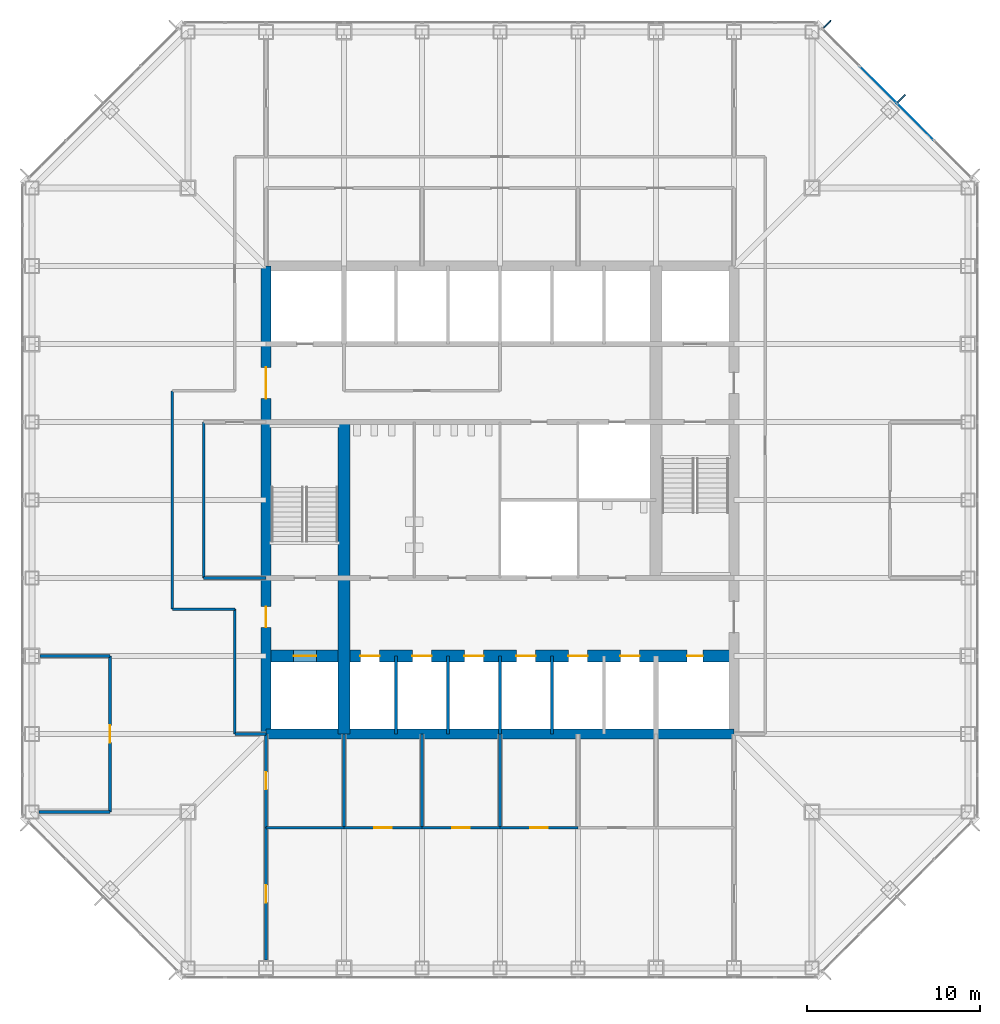
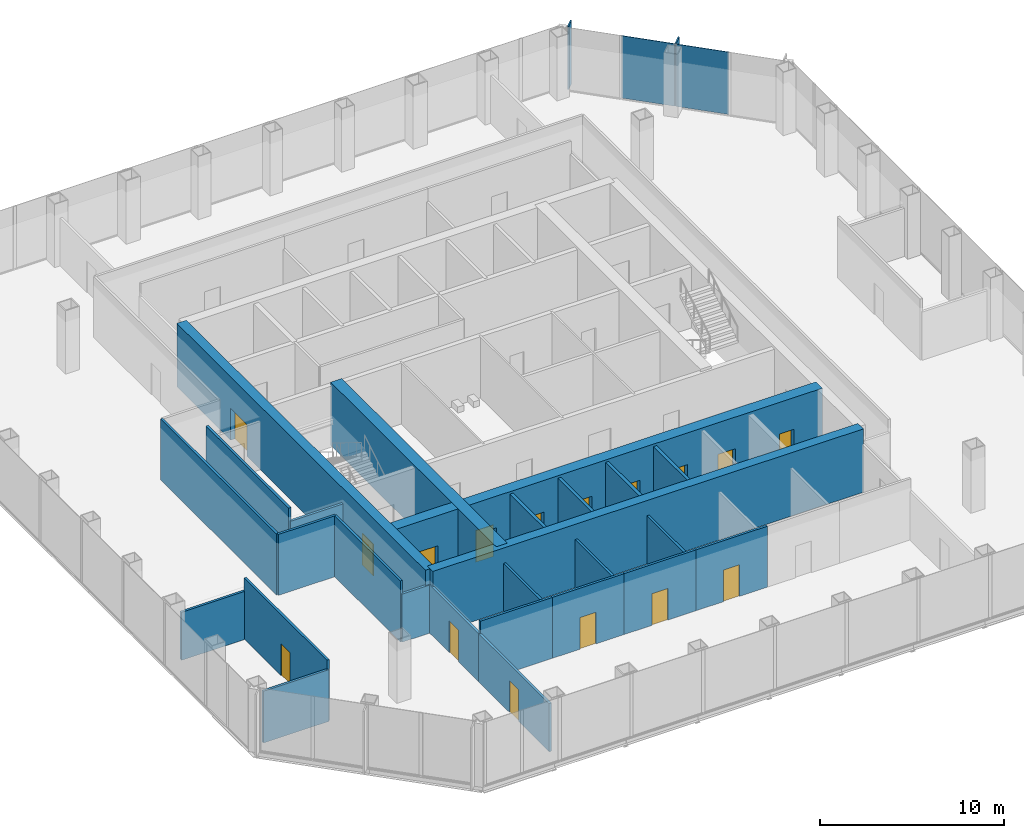
# One storey, part 8 of 12: 26 walls, 16 doors, 4 plates, 16 openings, 1 element without a shape of its own.
"""IFC4 building model written with IfcOpenShell, lengths in metres."""

from ifc_helpers import new_model, si_unit, direction, frame, frame_2d, origin, origin_2d, place, context, subcontext, project, spatial, rectangle, extrude, material, layer, layer_set, type_object, element, fill, aggregate, save


model = new_model("IFC4")

# Units and contexts
model_context = context("Model", 3, precision=1e-05, world=origin(), true_north=direction((0.0, 1.0)))
body_context = subcontext(model_context, "Body", "Model", "MODEL_VIEW")
ifc_project = project(units=[si_unit("LENGTHUNIT", "METRE"), si_unit("AREAUNIT", "SQUARE_METRE"), si_unit("VOLUMEUNIT", "CUBIC_METRE"), si_unit("PLANEANGLEUNIT", "RADIAN"), si_unit("MASSUNIT", "GRAM", prefix="KILO")], contexts=[model_context])

# Site, building, storey
site_placement = place(None, origin())
site = spatial("IfcSite", under=ifc_project, at=site_placement, CompositionType="ELEMENT")
building_placement = place(site_placement, origin())
building = spatial("IfcBuilding", under=site, at=building_placement, Name="Corais Broadcast Tower", CompositionType="ELEMENT")
storey_placement = place(building_placement, frame((0.0, 0.0, 58.39990234375)))
storey = spatial("IfcBuildingStorey", under=building, at=storey_placement, Name="L12", CompositionType="ELEMENT", Elevation=58.39990234375)

# Curtain wall, plates
ifc_material_1 = material(Name="Aluminium and glass", Category="aluminium")
curtain_wall_type = type_object("IfcCurtainWallType", Name="Unitised fritted curtain wall CW1", PredefinedType="NOTDEFINED", material=ifc_material_1)
curtain_wall_placement = place(storey_placement, origin())
curtain_wall = element("IfcCurtainWall", 1, at=curtain_wall_placement, inside=storey, type_object=curtain_wall_type, Name="CW1 curtain wall L12 5", PredefinedType="NOTDEFINED")
ifc_material_2 = material(Name="Ceramic-fritted laminated glass", Category="glass")
ifc_layer_1 = layer(ifc_material_2, 0.030029296875)
ifc_layer_set_1 = layer_set([ifc_layer_1], Name="Ceramic-fritted laminated glass")
plate_type_1 = type_object("IfcPlateType", Name="Fritted glass panel CW1", PredefinedType="CURTAIN_PANEL", material=ifc_layer_set_1)
plate_1_placement = place(storey_placement, frame((50.9658203125, 48.81201171875, 0.06494140625), z_axis=(0.0, 0.0, 1.0), x_axis=(0.707106781187, -0.707106781187, 0.0)))
plate_1 = element("IfcPlate", 2, at=plate_1_placement, type_object=plate_type_1, Name="CW1 panel 3", PredefinedType="CURTAIN_PANEL", context=body_context, shape_type="SweptSolid", body=[
    extrude(rectangle(XDim=2.98095703125, YDim=0.030029296875, at=origin_2d()), origin(), (0.0, 0.0, 1.0), 4.135009765625),
])
ifc_material_3 = material(Name="Clear laminated glass", Category="glass")
ifc_layer_2 = layer(ifc_material_3, 0.033935546875)
ifc_layer_set_2 = layer_set([ifc_layer_2], Name="Clear laminated glass")
plate_type_2 = type_object("IfcPlateType", Name="Operable glass panel CW1", PredefinedType="CURTAIN_PANEL", material=ifc_layer_set_2)
plate_2_placement = place(storey_placement, frame((48.81201171875, 50.9658203125, 0.06494140625), z_axis=(0.0, 0.0, 1.0), x_axis=(0.707106781187, -0.707106781187, 0.0)))
plate_2 = element("IfcPlate", 3, at=plate_2_placement, type_object=plate_type_2, Name="CW1 operable panel 2", PredefinedType="CURTAIN_PANEL", context=body_context, shape_type="SweptSolid", body=[
    extrude(rectangle(XDim=2.98095703125, YDim=0.033935546875, at=origin_2d()), origin(), (0.0, 0.0, 1.0), 4.135009765625),
])
aggregate(curtain_wall, [plate_2, plate_1])

# Plates
ifc_material_4 = material(Name="Granite stone cladding", Category="masonry")
ifc_layer_3 = layer(ifc_material_4, 0.080078125)
ifc_layer_set_3 = layer_set([ifc_layer_3], Name="Granite stone cladding")
plate_type_3 = type_object("IfcPlateType", Name="Stone screen fin 80x600", PredefinedType="USERDEFINED", material=ifc_layer_set_3)
for number, where, z_axis, x_axis, name in (
    (4, (45.885009765625, 54.4541015625, 0.0), (0.0, 0.0, 1.0), (0.707106781187, -0.707106781187, 0.0), "SF1 stone screen fin L12"),
    (5, (50.169677734375, 50.169677734375, 0.0), (0.0, 0.0, 1.0), (0.707106781187, -0.707106781187, 0.0), "SF1 stone screen fin L12"),
):
    element("IfcPlate", number, at=place(storey_placement, frame(where, z_axis=z_axis, x_axis=x_axis)), inside=storey, type_object=plate_type_3, Name=name, ObjectType="STONE SCREEN FIN", PredefinedType="USERDEFINED", context=body_context, shape_type="SweptSolid", body=[
        extrude(rectangle(XDim=0.080078125, YDim=0.60009765625, at=origin_2d()), origin(), (0.0, 0.0, 1.0), 4.199951171875),
    ])

# Wall
ifc_material_5 = material(Name="Concrete C50/60", Category="concrete")
ifc_layer_4 = layer(ifc_material_5, 0.699951171875)
ifc_layer_set_4 = layer_set([ifc_layer_4], Name="Concrete C50/60")
wall_type_1 = type_object("IfcWallType", Name="Core spine wall 700", PredefinedType="SHEAR", material=ifc_layer_set_4)
wall_1_placement = place(storey_placement, frame((18.0, 13.5, 0.0), z_axis=(0.0, 0.0, 1.0), x_axis=(0.0, 1.0, 0.0)))
element("IfcWall", 6, at=wall_1_placement, inside=storey, type_object=wall_type_1, Name="CR700 core wall X18A L12", PredefinedType="SHEAR", context=body_context, shape_type="SweptSolid", body=[
    extrude(rectangle(XDim=18.0, YDim=0.699951171875, at=frame_2d((9.0, 0.0))), origin(), (0.0, 0.0, 1.0), 4.2001953125),
])

# Wall, openings, doors
wall_2_placement = place(storey_placement, frame((13.5, 18.0, 0.0), z_axis=(0.0, 0.0, 1.0), x_axis=(1.0, 0.0, 0.0)))
wall_2 = element("IfcWall", 7, at=wall_2_placement, inside=storey, type_object=wall_type_1, Name="CR700 core wall Y18 L12", PredefinedType="SHEAR", context=body_context, shape_type="SweptSolid", body=[
    extrude(rectangle(XDim=27.0, YDim=0.699951171875, at=frame_2d((13.5, 0.0))), origin(), (0.0, 0.0, 1.0), 4.2001953125),
])
opening_1_placement = place(wall_2_placement, frame((24.300048828125, 0.0, 0.0)))
opening_1 = element("IfcOpeningElement", 8, at=opening_1_placement, cuts=wall_2, Name="Opening RD1", PredefinedType="OPENING", context=body_context, shape_type="SweptSolid", body=[
    extrude(rectangle(XDim=0.89990234375, YDim=2.10009765625, at=frame_2d((0.449951171875, 1.050048828125))), frame((0.0, 0.35986328125, 0.0), z_axis=(0.0, -1.0, 0.0), x_axis=(1.0, 0.0, 0.0)), (0.0, 0.0, 1.0), 0.719970703125),
])
opening_2_placement = place(wall_2_placement, frame((5.449951171875, 0.0, 0.0)))
opening_2 = element("IfcOpeningElement", 9, at=opening_2_placement, cuts=wall_2, Name="Opening LD1", PredefinedType="OPENING", context=body_context, shape_type="SweptSolid", body=[
    extrude(rectangle(XDim=1.10009765625, YDim=2.10009765625, at=frame_2d((0.550048828125, 1.050048828125))), frame((0.0, 0.35986328125, 0.0), z_axis=(0.0, -1.0, 0.0), x_axis=(1.0, 0.0, 0.0)), (0.0, 0.0, 1.0), 0.719970703125),
])
opening_3_placement = place(wall_2_placement, frame((8.449951171875, 0.0, 0.0)))
opening_3 = element("IfcOpeningElement", 10, at=opening_3_placement, cuts=wall_2, Name="Opening LD1", PredefinedType="OPENING", context=body_context, shape_type="SweptSolid", body=[
    extrude(rectangle(XDim=1.10009765625, YDim=2.10009765625, at=frame_2d((0.550048828125, 1.050048828125))), frame((0.0, 0.35986328125, 0.0), z_axis=(0.0, -1.0, 0.0), x_axis=(1.0, 0.0, 0.0)), (0.0, 0.0, 1.0), 0.719970703125),
])
opening_4_placement = place(wall_2_placement, frame((11.449951171875, 0.0, 0.0)))
opening_4 = element("IfcOpeningElement", 11, at=opening_4_placement, cuts=wall_2, Name="Opening LD1", PredefinedType="OPENING", context=body_context, shape_type="SweptSolid", body=[
    extrude(rectangle(XDim=1.10009765625, YDim=2.10009765625, at=frame_2d((0.550048828125, 1.050048828125))), frame((0.0, 0.35986328125, 0.0), z_axis=(0.0, -1.0, 0.0), x_axis=(1.0, 0.0, 0.0)), (0.0, 0.0, 1.0), 0.719970703125),
])
opening_5_placement = place(wall_2_placement, frame((14.449951171875, 0.0, 0.0)))
opening_5 = element("IfcOpeningElement", 12, at=opening_5_placement, cuts=wall_2, Name="Opening LD1", PredefinedType="OPENING", context=body_context, shape_type="SweptSolid", body=[
    extrude(rectangle(XDim=1.10009765625, YDim=2.10009765625, at=frame_2d((0.550048828125, 1.050048828125))), frame((0.0, 0.35986328125, 0.0), z_axis=(0.0, -1.0, 0.0), x_axis=(1.0, 0.0, 0.0)), (0.0, 0.0, 1.0), 0.719970703125),
])
opening_6_placement = place(wall_2_placement, frame((17.449951171875, 0.0, 0.0)))
opening_6 = element("IfcOpeningElement", 13, at=opening_6_placement, cuts=wall_2, Name="Opening LD1", PredefinedType="OPENING", context=body_context, shape_type="SweptSolid", body=[
    extrude(rectangle(XDim=1.10009765625, YDim=2.10009765625, at=frame_2d((0.550048828125, 1.050048828125))), frame((0.0, 0.35986328125, 0.0), z_axis=(0.0, -1.0, 0.0), x_axis=(1.0, 0.0, 0.0)), (0.0, 0.0, 1.0), 0.719970703125),
])
opening_7_placement = place(wall_2_placement, frame((20.449951171875, 0.0, 0.0)))
opening_7 = element("IfcOpeningElement", 14, at=opening_7_placement, cuts=wall_2, Name="Opening LD1", PredefinedType="OPENING", context=body_context, shape_type="SweptSolid", body=[
    extrude(rectangle(XDim=1.10009765625, YDim=2.10009765625, at=frame_2d((0.550048828125, 1.050048828125))), frame((0.0, 0.35986328125, 0.0), z_axis=(0.0, -1.0, 0.0), x_axis=(1.0, 0.0, 0.0)), (0.0, 0.0, 1.0), 0.719970703125),
])
opening_8_placement = place(wall_2_placement, frame((1.60009765625, 0.0, 0.0)))
opening_8 = element("IfcOpeningElement", 15, at=opening_8_placement, cuts=wall_2, Name="Opening LD2", PredefinedType="OPENING", context=body_context, shape_type="SweptSolid", body=[
    extrude(rectangle(XDim=1.300048828125, YDim=2.199951171875, at=frame_2d((0.64990234375, 1.10009765625))), frame((0.0, 0.35986328125, 0.0), z_axis=(0.0, -1.0, 0.0), x_axis=(1.0, 0.0, 0.0)), (0.0, 0.0, 1.0), 0.719970703125),
])
ifc_material_6 = material(Name="Stainless steel lift door", Category="steel")
door_type_1 = type_object("IfcDoorType", Name="Lift landing door 1100x2100", OperationType="SLIDING_TO_LEFT", PredefinedType="DOOR", material=ifc_material_6)
door_1_placement = place(opening_2_placement, origin())
door_1 = element("IfcDoor", 16, at=door_1_placement, inside=storey, type_object=door_type_1, Name="LD1 PL1 landing door L12", OperationType="SLIDING_TO_LEFT", OverallHeight=2.10009765625, OverallWidth=1.10009765625, PredefinedType="DOOR", context=body_context, shape_type="SweptSolid", body=[
    extrude(rectangle(XDim=1.10009765625, YDim=2.10009765625, at=frame_2d((0.550048828125, 1.050048828125))), frame((0.0, 0.02490234375, 0.0), z_axis=(0.0, -1.0, 0.0), x_axis=(1.0, 0.0, 0.0)), (0.0, 0.0, 1.0), 0.050048828125),
])
fill(opening_2, door_1)
door_2_placement = place(opening_3_placement, origin())
door_2 = element("IfcDoor", 17, at=door_2_placement, inside=storey, type_object=door_type_1, Name="LD1 PL2 landing door L12", OperationType="SLIDING_TO_LEFT", OverallHeight=2.10009765625, OverallWidth=1.10009765625, PredefinedType="DOOR", context=body_context, shape_type="SweptSolid", body=[
    extrude(rectangle(XDim=1.10009765625, YDim=2.10009765625, at=frame_2d((0.550048828125, 1.050048828125))), frame((0.0, 0.02490234375, 0.0), z_axis=(0.0, -1.0, 0.0), x_axis=(1.0, 0.0, 0.0)), (0.0, 0.0, 1.0), 0.050048828125),
])
fill(opening_3, door_2)
door_3_placement = place(opening_4_placement, origin())
door_3 = element("IfcDoor", 18, at=door_3_placement, inside=storey, type_object=door_type_1, Name="LD1 PL3 landing door L12", OperationType="SLIDING_TO_LEFT", OverallHeight=2.10009765625, OverallWidth=1.10009765625, PredefinedType="DOOR", context=body_context, shape_type="SweptSolid", body=[
    extrude(rectangle(XDim=1.10009765625, YDim=2.10009765625, at=frame_2d((0.550048828125, 1.050048828125))), frame((0.0, 0.02490234375, 0.0), z_axis=(0.0, -1.0, 0.0), x_axis=(1.0, 0.0, 0.0)), (0.0, 0.0, 1.0), 0.050048828125),
])
fill(opening_4, door_3)
door_4_placement = place(opening_5_placement, origin())
door_4 = element("IfcDoor", 19, at=door_4_placement, inside=storey, type_object=door_type_1, Name="LD1 PL4 landing door L12", OperationType="SLIDING_TO_LEFT", OverallHeight=2.10009765625, OverallWidth=1.10009765625, PredefinedType="DOOR", context=body_context, shape_type="SweptSolid", body=[
    extrude(rectangle(XDim=1.10009765625, YDim=2.10009765625, at=frame_2d((0.550048828125, 1.050048828125))), frame((0.0, 0.02490234375, 0.0), z_axis=(0.0, -1.0, 0.0), x_axis=(1.0, 0.0, 0.0)), (0.0, 0.0, 1.0), 0.050048828125),
])
fill(opening_5, door_4)
door_5_placement = place(opening_6_placement, origin())
door_5 = element("IfcDoor", 20, at=door_5_placement, inside=storey, type_object=door_type_1, Name="LD1 PL5 landing door L12", OperationType="SLIDING_TO_LEFT", OverallHeight=2.10009765625, OverallWidth=1.10009765625, PredefinedType="DOOR", context=body_context, shape_type="SweptSolid", body=[
    extrude(rectangle(XDim=1.10009765625, YDim=2.10009765625, at=frame_2d((0.550048828125, 1.050048828125))), frame((0.0, 0.02490234375, 0.0), z_axis=(0.0, -1.0, 0.0), x_axis=(1.0, 0.0, 0.0)), (0.0, 0.0, 1.0), 0.050048828125),
])
fill(opening_6, door_5)
door_6_placement = place(opening_7_placement, origin())
door_6 = element("IfcDoor", 21, at=door_6_placement, inside=storey, type_object=door_type_1, Name="LD1 PL6 landing door L12", OperationType="SLIDING_TO_LEFT", OverallHeight=2.10009765625, OverallWidth=1.10009765625, PredefinedType="DOOR", context=body_context, shape_type="SweptSolid", body=[
    extrude(rectangle(XDim=1.10009765625, YDim=2.10009765625, at=frame_2d((0.550048828125, 1.050048828125))), frame((0.0, 0.02490234375, 0.0), z_axis=(0.0, -1.0, 0.0), x_axis=(1.0, 0.0, 0.0)), (0.0, 0.0, 1.0), 0.050048828125),
])
fill(opening_7, door_6)
ifc_material_7 = material(Name="Stainless steel lift door", Category="steel")
door_type_2 = type_object("IfcDoorType", Name="Lift landing door 1300x2200", OperationType="SLIDING_TO_LEFT", PredefinedType="DOOR", material=ifc_material_7)
door_7_placement = place(opening_8_placement, origin())
door_7 = element("IfcDoor", 22, at=door_7_placement, inside=storey, type_object=door_type_2, Name="LD2 FL1 landing door L12", OperationType="SLIDING_TO_LEFT", OverallHeight=2.199951171875, OverallWidth=1.300048828125, PredefinedType="DOOR", context=body_context, shape_type="SweptSolid", body=[
    extrude(rectangle(XDim=1.300048828125, YDim=2.199951171875, at=frame_2d((0.64990234375, 1.10009765625))), frame((0.0, 0.02490234375, 0.0), z_axis=(0.0, -1.0, 0.0), x_axis=(1.0, 0.0, 0.0)), (0.0, 0.0, 1.0), 0.050048828125),
])
fill(opening_8, door_7)
ifc_material_8 = material(Name="Steel fire door", Category="steel")
door_type_3 = type_object("IfcDoorType", Name="Riser door 900x2100", OperationType="SINGLE_SWING_LEFT", PredefinedType="DOOR", material=ifc_material_8)
door_8_placement = place(opening_1_placement, origin())
door_8 = element("IfcDoor", 23, at=door_8_placement, inside=storey, type_object=door_type_3, Name="RD1 riser door L12", OperationType="SINGLE_SWING_RIGHT", OverallHeight=2.10009765625, OverallWidth=0.89990234375, PredefinedType="DOOR", context=body_context, shape_type="SweptSolid", body=[
    extrude(rectangle(XDim=0.89990234375, YDim=2.10009765625, at=frame_2d((0.449951171875, 1.050048828125))), frame((0.0, 0.02490234375, 0.0), z_axis=(0.0, -1.0, 0.0), x_axis=(1.0, 0.0, 0.0)), (0.0, 0.0, 1.0), 0.050048828125),
])
fill(opening_1, door_8)

# Wall
ifc_material_9 = material(Name="Concrete C50/60", Category="concrete")
ifc_layer_5 = layer(ifc_material_9, 0.60009765625)
ifc_layer_set_5 = layer_set([ifc_layer_5], Name="Concrete C50/60")
wall_type_2 = type_object("IfcWallType", Name="Core wall 600", PredefinedType="SHEAR", material=ifc_layer_set_5)
wall_3_placement = place(storey_placement, frame((13.5, 13.5, 0.0), z_axis=(0.0, 0.0, 1.0), x_axis=(1.0, 0.0, 0.0)))
element("IfcWall", 24, at=wall_3_placement, inside=storey, type_object=wall_type_2, Name="CR600 core wall S L12", PredefinedType="SHEAR", context=body_context, shape_type="SweptSolid", body=[
    extrude(rectangle(XDim=27.0, YDim=0.60009765625, at=frame_2d((13.5, 0.0))), origin(), (0.0, 0.0, 1.0), 4.2001953125),
])

# Wall, openings, doors
wall_4_placement = place(storey_placement, frame((13.5, 40.5, 0.0), z_axis=(0.0, 0.0, 1.0), x_axis=(0.0, -1.0, 0.0)))
wall_4 = element("IfcWall", 25, at=wall_4_placement, inside=storey, type_object=wall_type_2, Name="CR600 core wall W L12", PredefinedType="SHEAR", context=body_context, shape_type="SweptSolid", body=[
    extrude(rectangle(XDim=27.0, YDim=0.60009765625, at=frame_2d((13.5, 0.0))), origin(), (0.0, 0.0, 1.0), 4.2001953125),
])
opening_9_placement = place(wall_4_placement, frame((19.64990234375, 0.0, 0.0)))
opening_9 = element("IfcOpeningElement", 26, at=opening_9_placement, cuts=wall_4, Name="Opening FD1", PredefinedType="OPENING", context=body_context, shape_type="SweptSolid", body=[
    extrude(rectangle(XDim=1.199951171875, YDim=2.10009765625, at=frame_2d((0.60009765625, 1.050048828125))), frame((0.0, 0.31005859375, 0.0), z_axis=(0.0, -1.0, 0.0), x_axis=(1.0, 0.0, 0.0)), (0.0, 0.0, 1.0), 0.6201171875),
])
opening_10_placement = place(wall_4_placement, frame((5.85009765625, 0.0, 0.0)))
opening_10 = element("IfcOpeningElement", 27, at=opening_10_placement, cuts=wall_4, Name="Opening FD2", PredefinedType="OPENING", context=body_context, shape_type="SweptSolid", body=[
    extrude(rectangle(XDim=1.800048828125, YDim=2.10009765625, at=frame_2d((0.89990234375, 1.050048828125))), frame((0.0, 0.31005859375, 0.0), z_axis=(0.0, -1.0, 0.0), x_axis=(1.0, 0.0, 0.0)), (0.0, 0.0, 1.0), 0.6201171875),
])
ifc_material_10 = material(Name="Steel fire door", Category="steel")
door_type_4 = type_object("IfcDoorType", Name="Fire door 1200x2100", OperationType="SINGLE_SWING_LEFT", PredefinedType="DOOR", material=ifc_material_10)
door_9_placement = place(opening_9_placement, origin())
door_9 = element("IfcDoor", 28, at=door_9_placement, inside=storey, type_object=door_type_4, Name="FD1 fire lobby A door L12", OperationType="SINGLE_SWING_RIGHT", OverallHeight=2.10009765625, OverallWidth=1.199951171875, PredefinedType="DOOR", context=body_context, shape_type="SweptSolid", body=[
    extrude(rectangle(XDim=1.199951171875, YDim=2.10009765625, at=frame_2d((0.60009765625, 1.050048828125))), frame((0.0, 0.02490234375, 0.0), z_axis=(0.0, -1.0, 0.0), x_axis=(1.0, 0.0, 0.0)), (0.0, 0.0, 1.0), 0.050048828125),
])
fill(opening_9, door_9)
ifc_material_11 = material(Name="Steel fire door", Category="steel")
door_type_5 = type_object("IfcDoorType", Name="Fire door pair 1800x2100", OperationType="DOUBLE_DOOR_SINGLE_SWING", PredefinedType="DOOR", material=ifc_material_11)
door_10_placement = place(opening_10_placement, origin())
door_10 = element("IfcDoor", 29, at=door_10_placement, inside=storey, type_object=door_type_5, Name="FD2 lift lobby door L12", OperationType="SINGLE_SWING_LEFT", OverallHeight=2.10009765625, OverallWidth=1.800048828125, PredefinedType="DOOR", context=body_context, shape_type="SweptSolid", body=[
    extrude(rectangle(XDim=1.800048828125, YDim=2.10009765625, at=frame_2d((0.89990234375, 1.050048828125))), frame((0.0, 0.02490234375, 0.0), z_axis=(0.0, -1.0, 0.0), x_axis=(1.0, 0.0, 0.0)), (0.0, 0.0, 1.0), 0.050048828125),
])
fill(opening_10, door_10)

# Walls
ifc_material_12 = material(Name="Gypsum board on steel studs", Category="steel")
ifc_layer_6 = layer(ifc_material_12, 0.14990234375)
ifc_layer_set_6 = layer_set([ifc_layer_6], Name="Gypsum board on steel studs")
wall_type_3 = type_object("IfcWallType", Name="Partition 150", PredefinedType="PARTITIONING", material=ifc_layer_set_6)
wall_5_placement = place(storey_placement, frame((8.10009765625, 33.300048828125, 0.0), z_axis=(0.0, 0.0, 1.0), x_axis=(0.0, -1.0, 0.0)))
element("IfcWall", 30, at=wall_5_placement, inside=storey, type_object=wall_type_3, Name="IW3 corridor wall L12", PredefinedType="PARTITIONING", context=body_context, shape_type="SweptSolid", body=[
    extrude(rectangle(XDim=12.60009765625, YDim=0.14990234375, at=frame_2d((6.300048828125, 0.0))), origin(), (0.0, 0.0, 1.0), 4.0400390625),
])
wall_6_placement = place(storey_placement, frame((11.699951171875, 20.699951171875, 0.0), z_axis=(0.0, 0.0, 1.0), x_axis=(0.0, -1.0, 0.0)))
element("IfcWall", 31, at=wall_6_placement, inside=storey, type_object=wall_type_3, Name="IW3 corridor wall L12", PredefinedType="PARTITIONING", context=body_context, shape_type="SweptSolid", body=[
    extrude(rectangle(XDim=7.199951171875, YDim=0.14990234375, at=frame_2d((3.60009765625, 0.0))), origin(), (0.0, 0.0, 1.0), 4.0400390625),
])
wall_7_placement = place(storey_placement, frame((8.10009765625, 20.699951171875, 0.0), z_axis=(0.0, 0.0, 1.0), x_axis=(1.0, 0.0, 0.0)))
element("IfcWall", 32, at=wall_7_placement, inside=storey, type_object=wall_type_3, Name="IW3 corridor wall L12", PredefinedType="PARTITIONING", context=body_context, shape_type="SweptSolid", body=[
    extrude(rectangle(XDim=3.599853515625, YDim=0.14990234375, at=frame_2d((1.7998046875, 0.0))), origin(), (0.0, 0.0, 1.0), 4.0400390625),
])
wall_8_placement = place(storey_placement, frame((11.699951171875, 13.5, 0.0), z_axis=(0.0, 0.0, 1.0), x_axis=(1.0, 0.0, 0.0)))
element("IfcWall", 33, at=wall_8_placement, inside=storey, type_object=wall_type_3, Name="IW3 corridor wall L12", PredefinedType="PARTITIONING", context=body_context, shape_type="SweptSolid", body=[
    extrude(rectangle(XDim=1.800048828125, YDim=0.14990234375, at=frame_2d((0.89990234375, 0.0))), origin(), (0.0, 0.0, 1.0), 3.189208984375),
])
wall_9_placement = place(storey_placement, frame((13.5, 8.10009765625, 0.0), z_axis=(0.0, 0.0, 1.0), x_axis=(1.0, 0.0, 0.0)))
element("IfcWall", 34, at=wall_9_placement, inside=storey, type_object=wall_type_3, Name="IW3 partition L12", PredefinedType="PARTITIONING", context=body_context, shape_type="SweptSolid", body=[
    extrude(rectangle(XDim=4.5, YDim=0.14990234375, at=frame_2d((2.25, 0.0))), origin(), (0.0, 0.0, 1.0), 4.0400390625),
])
wall_10_placement = place(storey_placement, frame((18.0, 8.10009765625, 0.0), z_axis=(0.0, 0.0, 1.0), x_axis=(0.0, 1.0, 0.0)))
element("IfcWall", 35, at=wall_10_placement, inside=storey, type_object=wall_type_3, Name="IW3 partition L12", PredefinedType="PARTITIONING", context=body_context, shape_type="SweptSolid", body=[
    extrude(rectangle(XDim=5.39990234375, YDim=0.14990234375, at=frame_2d((2.699951171875, 0.0))), origin(), (0.0, 0.0, 1.0), 3.189208984375),
])

# Wall, opening, door
wall_11_placement = place(storey_placement, frame((13.5, 13.5, 0.0), z_axis=(0.0, 0.0, 1.0), x_axis=(0.0, -1.0, 0.0)))
wall_11 = element("IfcWall", 36, at=wall_11_placement, inside=storey, type_object=wall_type_3, Name="IW3 partition L12", PredefinedType="PARTITIONING", context=body_context, shape_type="SweptSolid", body=[
    extrude(rectangle(XDim=5.39990234375, YDim=0.14990234375, at=frame_2d((2.699951171875, 0.0))), origin(), (0.0, 0.0, 1.0), 3.189208984375),
])
opening_11_placement = place(wall_11_placement, frame((2.199951171875, 0.0, 0.0)))
opening_11 = element("IfcOpeningElement", 37, at=opening_11_placement, cuts=wall_11, Name="Opening D1", PredefinedType="OPENING", context=body_context, shape_type="SweptSolid", body=[
    extrude(rectangle(XDim=1.0, YDim=2.10009765625, at=frame_2d((0.5, 1.050048828125))), frame((0.0, 0.0849609375, 0.0), z_axis=(0.0, -1.0, 0.0), x_axis=(1.0, 0.0, 0.0)), (0.0, 0.0, 1.0), 0.169921875),
])
ifc_material_13 = material(Name="Timber door", Category="wood")
door_type_6 = type_object("IfcDoorType", Name="Single door 1000x2100", OperationType="SINGLE_SWING_LEFT", PredefinedType="DOOR", material=ifc_material_13)
door_11_placement = place(opening_11_placement, origin())
door_11 = element("IfcDoor", 38, at=door_11_placement, inside=storey, type_object=door_type_6, Name="D1 Edit suite door", OperationType="SINGLE_SWING_LEFT", OverallHeight=2.10009765625, OverallWidth=1.0, PredefinedType="DOOR", context=body_context, shape_type="SweptSolid", body=[
    extrude(rectangle(XDim=1.0, YDim=2.10009765625, at=frame_2d((0.5, 1.050048828125))), frame((0.0, 0.02490234375, 0.0), z_axis=(0.0, -1.0, 0.0), x_axis=(1.0, 0.0, 0.0)), (0.0, 0.0, 1.0), 0.050048828125),
])
fill(opening_11, door_11)

wall_12_placement = place(storey_placement, frame((18.0, 8.10009765625, 0.0), z_axis=(0.0, 0.0, 1.0), x_axis=(1.0, 0.0, 0.0)))
wall_12 = element("IfcWall", 39, at=wall_12_placement, inside=storey, type_object=wall_type_3, Name="IW3 partition L12", PredefinedType="PARTITIONING", context=body_context, shape_type="SweptSolid", body=[
    extrude(rectangle(XDim=4.5, YDim=0.14990234375, at=frame_2d((2.25, 0.0))), origin(), (0.0, 0.0, 1.0), 4.0400390625),
])
opening_12_placement = place(wall_12_placement, frame((1.75, 0.0, 0.0)))
opening_12 = element("IfcOpeningElement", 40, at=opening_12_placement, cuts=wall_12, Name="Opening D1", PredefinedType="OPENING", context=body_context, shape_type="SweptSolid", body=[
    extrude(rectangle(XDim=1.0, YDim=2.10009765625, at=frame_2d((0.5, 1.050048828125))), frame((0.0, 0.0849609375, 0.0), z_axis=(0.0, -1.0, 0.0), x_axis=(1.0, 0.0, 0.0)), (0.0, 0.0, 1.0), 0.169921875),
])
door_12_placement = place(opening_12_placement, origin())
door_12 = element("IfcDoor", 41, at=door_12_placement, inside=storey, type_object=door_type_6, Name="D1 Edit suite door", OperationType="SINGLE_SWING_LEFT", OverallHeight=2.10009765625, OverallWidth=1.0, PredefinedType="DOOR", context=body_context, shape_type="SweptSolid", body=[
    extrude(rectangle(XDim=1.0, YDim=2.10009765625, at=frame_2d((0.5, 1.050048828125))), frame((0.0, 0.02490234375, 0.0), z_axis=(0.0, -1.0, 0.0), x_axis=(1.0, 0.0, 0.0)), (0.0, 0.0, 1.0), 0.050048828125),
])
fill(opening_12, door_12)

# Wall
wall_13_placement = place(storey_placement, frame((22.5, 8.10009765625, 0.0), z_axis=(0.0, 0.0, 1.0), x_axis=(0.0, 1.0, 0.0)))
element("IfcWall", 42, at=wall_13_placement, inside=storey, type_object=wall_type_3, Name="IW3 partition L12", PredefinedType="PARTITIONING", context=body_context, shape_type="SweptSolid", body=[
    extrude(rectangle(XDim=5.39990234375, YDim=0.14990234375, at=frame_2d((2.699951171875, 0.0))), origin(), (0.0, 0.0, 1.0), 3.189208984375),
])

# Wall, opening, door
wall_14_placement = place(storey_placement, frame((22.5, 8.10009765625, 0.0), z_axis=(0.0, 0.0, 1.0), x_axis=(1.0, 0.0, 0.0)))
wall_14 = element("IfcWall", 43, at=wall_14_placement, inside=storey, type_object=wall_type_3, Name="IW3 partition L12", PredefinedType="PARTITIONING", context=body_context, shape_type="SweptSolid", body=[
    extrude(rectangle(XDim=4.5, YDim=0.14990234375, at=frame_2d((2.25, 0.0))), origin(), (0.0, 0.0, 1.0), 4.0400390625),
])
opening_13_placement = place(wall_14_placement, frame((1.75, 0.0, 0.0)))
opening_13 = element("IfcOpeningElement", 44, at=opening_13_placement, cuts=wall_14, Name="Opening D1", PredefinedType="OPENING", context=body_context, shape_type="SweptSolid", body=[
    extrude(rectangle(XDim=1.0, YDim=2.10009765625, at=frame_2d((0.5, 1.050048828125))), frame((0.0, 0.0849609375, 0.0), z_axis=(0.0, -1.0, 0.0), x_axis=(1.0, 0.0, 0.0)), (0.0, 0.0, 1.0), 0.169921875),
])
door_13_placement = place(opening_13_placement, origin())
door_13 = element("IfcDoor", 45, at=door_13_placement, inside=storey, type_object=door_type_6, Name="D1 Edit suite door", OperationType="SINGLE_SWING_LEFT", OverallHeight=2.10009765625, OverallWidth=1.0, PredefinedType="DOOR", context=body_context, shape_type="SweptSolid", body=[
    extrude(rectangle(XDim=1.0, YDim=2.10009765625, at=frame_2d((0.5, 1.050048828125))), frame((0.0, 0.02490234375, 0.0), z_axis=(0.0, -1.0, 0.0), x_axis=(1.0, 0.0, 0.0)), (0.0, 0.0, 1.0), 0.050048828125),
])
fill(opening_13, door_13)

# Wall
wall_15_placement = place(storey_placement, frame((27.0, 8.10009765625, 0.0), z_axis=(0.0, 0.0, 1.0), x_axis=(0.0, 1.0, 0.0)))
element("IfcWall", 46, at=wall_15_placement, inside=storey, type_object=wall_type_3, Name="IW3 partition L12", PredefinedType="PARTITIONING", context=body_context, shape_type="SweptSolid", body=[
    extrude(rectangle(XDim=5.39990234375, YDim=0.14990234375, at=frame_2d((2.699951171875, 0.0))), origin(), (0.0, 0.0, 1.0), 3.189208984375),
])

# Wall, opening, door
wall_16_placement = place(storey_placement, frame((27.0, 8.10009765625, 0.0), z_axis=(0.0, 0.0, 1.0), x_axis=(1.0, 0.0, 0.0)))
wall_16 = element("IfcWall", 47, at=wall_16_placement, inside=storey, type_object=wall_type_3, Name="IW3 partition L12", PredefinedType="PARTITIONING", context=body_context, shape_type="SweptSolid", body=[
    extrude(rectangle(XDim=4.5, YDim=0.14990234375, at=frame_2d((2.25, 0.0))), origin(), (0.0, 0.0, 1.0), 4.0400390625),
])
opening_14_placement = place(wall_16_placement, frame((1.75, 0.0, 0.0)))
opening_14 = element("IfcOpeningElement", 48, at=opening_14_placement, cuts=wall_16, Name="Opening D1", PredefinedType="OPENING", context=body_context, shape_type="SweptSolid", body=[
    extrude(rectangle(XDim=1.0, YDim=2.10009765625, at=frame_2d((0.5, 1.050048828125))), frame((0.0, 0.0849609375, 0.0), z_axis=(0.0, -1.0, 0.0), x_axis=(1.0, 0.0, 0.0)), (0.0, 0.0, 1.0), 0.169921875),
])
door_14_placement = place(opening_14_placement, origin())
door_14 = element("IfcDoor", 49, at=door_14_placement, inside=storey, type_object=door_type_6, Name="D1 Edit suite door", OperationType="SINGLE_SWING_LEFT", OverallHeight=2.10009765625, OverallWidth=1.0, PredefinedType="DOOR", context=body_context, shape_type="SweptSolid", body=[
    extrude(rectangle(XDim=1.0, YDim=2.10009765625, at=frame_2d((0.5, 1.050048828125))), frame((0.0, 0.02490234375, 0.0), z_axis=(0.0, -1.0, 0.0), x_axis=(1.0, 0.0, 0.0)), (0.0, 0.0, 1.0), 0.050048828125),
])
fill(opening_14, door_14)

# Walls
wall_17_placement = place(storey_placement, frame((9.89990234375, 22.5, 0.0), z_axis=(0.0, 0.0, 1.0), x_axis=(1.0, 0.0, 0.0)))
element("IfcWall", 50, at=wall_17_placement, inside=storey, type_object=wall_type_3, Name="IW3 partition L12", PredefinedType="PARTITIONING", context=body_context, shape_type="SweptSolid", body=[
    extrude(rectangle(XDim=3.60009765625, YDim=0.14990234375, at=frame_2d((1.800048828125, 0.0))), origin(), (0.0, 0.0, 1.0), 3.189208984375),
])
wall_18_placement = place(storey_placement, frame((9.89990234375, 31.5, 0.0), z_axis=(0.0, 0.0, 1.0), x_axis=(0.0, -1.0, 0.0)))
element("IfcWall", 51, at=wall_18_placement, inside=storey, type_object=wall_type_3, Name="IW3 partition L12", PredefinedType="PARTITIONING", context=body_context, shape_type="SweptSolid", body=[
    extrude(rectangle(XDim=9.0, YDim=0.14990234375, at=frame_2d((4.5, 0.0))), origin(), (0.0, 0.0, 1.0), 4.0400390625),
])
wall_19_placement = place(storey_placement, frame((0.409912109375, 9.0, 0.0), z_axis=(0.0, 0.0, 1.0), x_axis=(1.0, 0.0, 0.0)))
element("IfcWall", 52, at=wall_19_placement, inside=storey, type_object=wall_type_3, Name="IW3 partition L12", PredefinedType="PARTITIONING", context=body_context, shape_type="SweptSolid", body=[
    extrude(rectangle(XDim=4.090087890625, YDim=0.14990234375, at=frame_2d((2.044921875, 0.0))), origin(), (0.0, 0.0, 1.0), 3.42919921875),
])

# Wall, opening, door
wall_20_placement = place(storey_placement, frame((4.5, 9.0, 0.0), z_axis=(0.0, 0.0, 1.0), x_axis=(0.0, 1.0, 0.0)))
wall_20 = element("IfcWall", 53, at=wall_20_placement, inside=storey, type_object=wall_type_3, Name="IW3 partition L12", PredefinedType="PARTITIONING", context=body_context, shape_type="SweptSolid", body=[
    extrude(rectangle(XDim=9.0, YDim=0.14990234375, at=frame_2d((4.5, 0.0))), origin(), (0.0, 0.0, 1.0), 4.0400390625),
])
opening_15_placement = place(wall_20_placement, frame((4.0, 0.0, 0.0)))
opening_15 = element("IfcOpeningElement", 54, at=opening_15_placement, cuts=wall_20, Name="Opening D1", PredefinedType="OPENING", context=body_context, shape_type="SweptSolid", body=[
    extrude(rectangle(XDim=1.0, YDim=2.10009765625, at=frame_2d((0.5, 1.050048828125))), frame((0.0, 0.0849609375, 0.0), z_axis=(0.0, -1.0, 0.0), x_axis=(1.0, 0.0, 0.0)), (0.0, 0.0, 1.0), 0.169921875),
])
door_15_placement = place(opening_15_placement, origin())
door_15 = element("IfcDoor", 55, at=door_15_placement, inside=storey, type_object=door_type_6, Name="D1 Media store door", OperationType="SINGLE_SWING_LEFT", OverallHeight=2.10009765625, OverallWidth=1.0, PredefinedType="DOOR", context=body_context, shape_type="SweptSolid", body=[
    extrude(rectangle(XDim=1.0, YDim=2.10009765625, at=frame_2d((0.5, 1.050048828125))), frame((0.0, 0.02490234375, 0.0), z_axis=(0.0, -1.0, 0.0), x_axis=(1.0, 0.0, 0.0)), (0.0, 0.0, 1.0), 0.050048828125),
])
fill(opening_15, door_15)

# Wall
wall_21_placement = place(storey_placement, frame((4.5, 18.0, 0.0), z_axis=(0.0, 0.0, 1.0), x_axis=(-1.0, 0.0, 0.0)))
element("IfcWall", 56, at=wall_21_placement, inside=storey, type_object=wall_type_3, Name="IW3 partition L12", PredefinedType="PARTITIONING", context=body_context, shape_type="SweptSolid", body=[
    extrude(rectangle(XDim=4.0400390625, YDim=0.14990234375, at=frame_2d((2.02001953125, 0.0))), origin(), (0.0, 0.0, 1.0), 3.189208984375),
])

# Wall, opening, door
wall_22_placement = place(storey_placement, frame((13.5, 0.445068359375, 0.0), z_axis=(0.0, 0.0, 1.0), x_axis=(0.0, 1.0, 0.0)))
wall_22 = element("IfcWall", 57, at=wall_22_placement, inside=storey, type_object=wall_type_3, Name="IW3 partition L12", PredefinedType="PARTITIONING", context=body_context, shape_type="SweptSolid", body=[
    extrude(rectangle(XDim=7.655029296875, YDim=0.14990234375, at=frame_2d((3.82763671875, 0.0))), origin(), (0.0, 0.0, 1.0), 3.189208984375),
])
opening_16_placement = place(wall_22_placement, frame((3.327392578125, 0.0, 0.0)))
opening_16 = element("IfcOpeningElement", 58, at=opening_16_placement, cuts=wall_22, Name="Opening D1", PredefinedType="OPENING", context=body_context, shape_type="SweptSolid", body=[
    extrude(rectangle(XDim=1.0, YDim=2.10009765625, at=frame_2d((0.5, 1.050048828125))), frame((0.0, 0.0849609375, 0.0), z_axis=(0.0, -1.0, 0.0), x_axis=(1.0, 0.0, 0.0)), (0.0, 0.0, 1.0), 0.169921875),
])
door_16_placement = place(opening_16_placement, origin())
door_16 = element("IfcDoor", 59, at=door_16_placement, inside=storey, type_object=door_type_6, Name="D1 team room door L12", OperationType="SINGLE_SWING_LEFT", OverallHeight=2.10009765625, OverallWidth=1.0, PredefinedType="DOOR", context=body_context, shape_type="SweptSolid", body=[
    extrude(rectangle(XDim=1.0, YDim=2.10009765625, at=frame_2d((0.5, 1.050048828125))), frame((0.0, 0.02490234375, 0.0), z_axis=(0.0, -1.0, 0.0), x_axis=(1.0, 0.0, 0.0)), (0.0, 0.0, 1.0), 0.050048828125),
])
fill(opening_16, door_16)

# Walls
ifc_material_14 = material(Name="Concrete blockwork class A, grouted, two-hour", Category="masonry")
ifc_layer_7 = layer(ifc_material_14, 0.199951171875)
ifc_layer_set_7 = layer_set([ifc_layer_7], Name="Concrete blockwork class A, grouted, two-hour")
wall_type_4 = type_object("IfcWallType", Name="Shaft wall 200", PredefinedType="PARTITIONING", material=ifc_layer_set_7)
for number, where, z_axis, x_axis, name in (
    (60, (21.0, 13.5, 0.0), (0.0, 0.0, 1.0), (0.0, 1.0, 0.0), "IW1 shaft wall L12"),
    (61, (24.0, 13.5, 0.0), (0.0, 0.0, 1.0), (0.0, 1.0, 0.0), "IW1 shaft wall L12"),
    (62, (27.0, 13.5, 0.0), (0.0, 0.0, 1.0), (0.0, 1.0, 0.0), "IW1 shaft wall L12"),
    (63, (30.0, 13.5, 0.0), (0.0, 0.0, 1.0), (0.0, 1.0, 0.0), "IW1 shaft wall L12"),
):
    element("IfcWall", number, at=place(storey_placement, frame(where, z_axis=z_axis, x_axis=x_axis)), inside=storey, type_object=wall_type_4, Name=name, PredefinedType="PARTITIONING", context=body_context, shape_type="SweptSolid", body=[
        extrude(rectangle(XDim=4.5, YDim=0.199951171875, at=frame_2d((2.25, 0.0))), origin(), (0.0, 0.0, 1.0), 4.0400390625),
    ])

save(model, "model.ifc")
